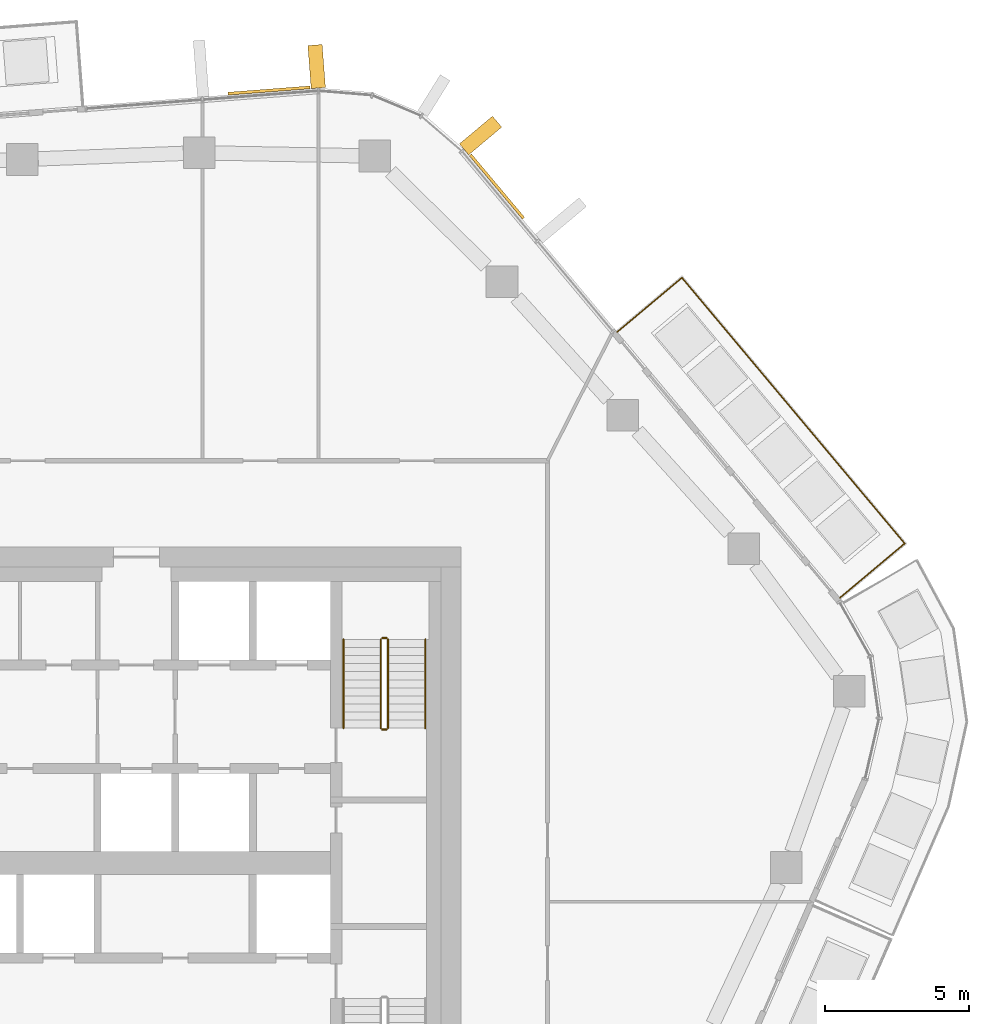
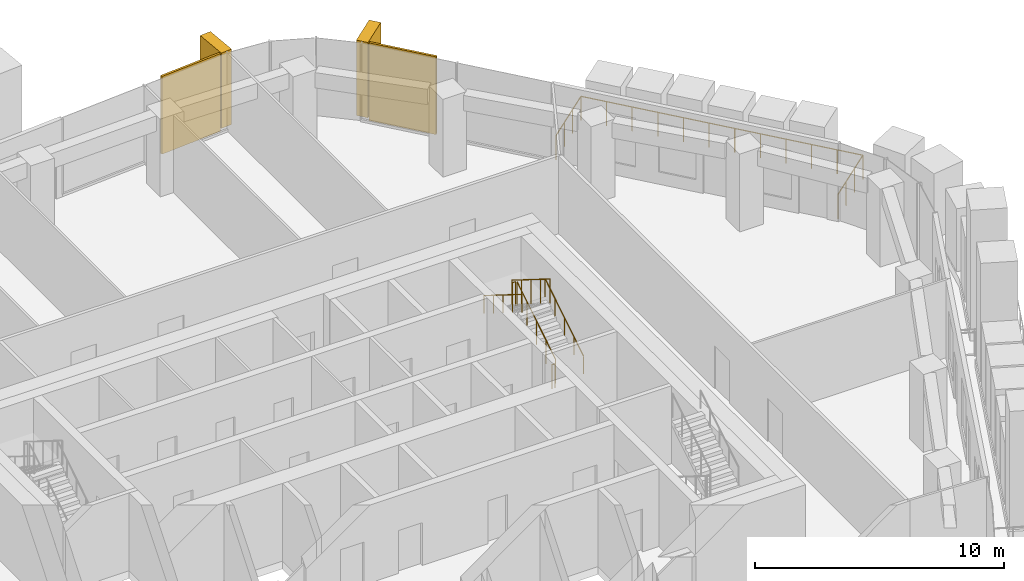
# One storey, part 20 of 20: 7 railings, 4 coverings, 2 elements without a shape of their own.
"""IFC4 building model written with IfcOpenShell, lengths in metres."""

import ifcopenshell
import ifcopenshell.guid

model = None  # the IFC model being written
_history = None  # IfcOwnerHistory: only IFC2X3 demands one
_inside = {}  # id of a spatial element -> (the spatial element, [elements in it])
_under = {}  # id of a project, library or spatial element -> (it, [spatial elements below it])
_declared = {}  # id of a project -> (the project, [libraries it declares])
_typed = {}  # id of a type object -> (the type object, [elements of that type])
_made_of = {}  # id of a material, layer set ... -> (it, [elements and type objects made of it])


def new_model(schema):
    """Start an empty IFC model of exactly this schema.

    Asked for "IFC4X3", IfcOpenShell would pick the latest addendum, in which some entities
    have other attributes; the version numbers below select the first issue.
    IFC2X3 requires an IfcOwnerHistory on every rooted entity: one is made here for all.
    """
    global model, _history
    if schema == "IFC4X3":
        model = ifcopenshell.file(schema_version=(4, 3, 0, 0))
    else:
        model = ifcopenshell.file(schema=schema)
    _inside.clear()
    _under.clear()
    _declared.clear()
    _typed.clear()
    _made_of.clear()
    _history = None
    if model.schema == "IFC2X3":
        org = make("IfcOrganization", Name="unknown")
        user = make(
            "IfcPersonAndOrganization",
            ThePerson=make("IfcPerson", FamilyName="unknown"),
            TheOrganization=org,
        )
        app = make(
            "IfcApplication",
            ApplicationDeveloper=org,
            Version="unknown",
            ApplicationFullName="unknown",
            ApplicationIdentifier="unknown",
        )
        _history = make(
            "IfcOwnerHistory",
            OwningUser=user,
            OwningApplication=app,
            ChangeAction="ADDED",
            CreationDate=0,
        )
    return model


def make(cls, **values):
    """One entity of the class cls with the attributes given. An attribute that is None is left unset."""
    return model.create_entity(
        cls, **{name: value for name, value in values.items() if value is not None}
    )


def rooted(cls, **values):
    """An entity with a GlobalId (a new one), such as an element, a storey or a relation."""
    return make(cls, GlobalId=ifcopenshell.guid.new(), OwnerHistory=_history, **values)


def si_unit(unit_type, name, prefix=None):
    """IfcSIUnit, for example si_unit("LENGTHUNIT", "METRE", prefix="MILLI")."""
    return make("IfcSIUnit", UnitType=unit_type, Prefix=prefix, Name=name)


def assignment(units):
    """IfcUnitAssignment: the units of a project."""
    return None if units is None else make("IfcUnitAssignment", Units=units)


def point(xyz):
    """IfcCartesianPoint."""
    return None if xyz is None else make("IfcCartesianPoint", Coordinates=xyz)


def direction(xyz):
    """IfcDirection."""
    return None if xyz is None else make("IfcDirection", DirectionRatios=xyz)


def frame(location, z_axis=None, x_axis=None):
    """IfcAxis2Placement3D, a coordinate frame: its origin and axes. An axis left out is left unset."""
    return make(
        "IfcAxis2Placement3D",
        Location=point(location),
        Axis=direction(z_axis),
        RefDirection=direction(x_axis),
    )


def frame_2d(location, x_axis=None):
    """IfcAxis2Placement2D, a coordinate frame in the plane: its origin and x axis."""
    return make(
        "IfcAxis2Placement2D", Location=point(location), RefDirection=direction(x_axis)
    )


def origin():
    """The frame at (0, 0, 0) with its axes left unset."""
    return frame((0.0, 0.0, 0.0))


def origin_2d():
    """The frame at (0, 0) in the plane with its x axis left unset."""
    return frame_2d((0.0, 0.0))


def place(relative_to, where):
    """IfcLocalPlacement: puts the frame where relative to a parent placement (None: the world)."""
    return make(
        "IfcLocalPlacement", PlacementRelTo=relative_to, RelativePlacement=where
    )


def context(
    kind, dimensions, precision=None, world=None, true_north=None, identifier=None
):
    """IfcGeometricRepresentationContext, for example the 3D "Model" context."""
    return make(
        "IfcGeometricRepresentationContext",
        ContextIdentifier=identifier,
        ContextType=kind,
        CoordinateSpaceDimension=dimensions,
        Precision=precision,
        WorldCoordinateSystem=world,
        TrueNorth=true_north,
    )


def subcontext(parent, identifier, kind, view, scale=None):
    """IfcGeometricRepresentationSubContext, for example "Body" below "Model"."""
    return make(
        "IfcGeometricRepresentationSubContext",
        ContextIdentifier=identifier,
        ContextType=kind,
        ParentContext=parent,
        TargetScale=scale,
        TargetView=view,
    )


def project(units=None, contexts=None):
    """IfcProject with its units and contexts."""
    return rooted(
        "IfcProject",
        Name="project",
        RepresentationContexts=contexts,
        UnitsInContext=assignment(units),
    )


def spatial(cls, under=None, at=None, **own):
    """A site, building, storey or space (cls), placed at a placement, below another one or the project."""
    s = rooted(cls, ObjectPlacement=at, **own)
    if under is not None:
        _under.setdefault(under.id(), (under, []))[1].append(s)
    return s


def profile(cls, at=None, kind="AREA", **sizes):
    """A parametric profile (cls). Its sizes go by their IFC names, for example OverallWidth=200.0."""
    return make(cls, ProfileType=kind, Position=at, **sizes)


def rectangle(**sizes):
    """IfcRectangleProfileDef."""
    return profile("IfcRectangleProfileDef", **sizes)


def circle(**sizes):
    """IfcCircleProfileDef."""
    return profile("IfcCircleProfileDef", **sizes)


def extrude(swept, where, along, depth):
    """IfcExtrudedAreaSolid: the profile swept, set in the frame where, extruded along a direction by depth."""
    return make(
        "IfcExtrudedAreaSolid",
        SweptArea=swept,
        Position=where,
        ExtrudedDirection=direction(along),
        Depth=depth,
    )


def shape(context_of_items, identifier, shape_type, items):
    """IfcShapeRepresentation: the items that make up one representation, for example the "Body"."""
    return make(
        "IfcShapeRepresentation",
        ContextOfItems=context_of_items,
        RepresentationIdentifier=identifier,
        RepresentationType=shape_type,
        Items=items,
    )


def material(Name=None, Category=None):
    """IfcMaterial."""
    return make("IfcMaterial", Name=Name, Category=Category)


def layer(
    of_material, thickness, ventilated=None, Name=None, Category=None, Priority=None
):
    """IfcMaterialLayer: one layer of a wall or slab, of a material (None: an air gap)."""
    return make(
        "IfcMaterialLayer",
        Material=of_material,
        LayerThickness=thickness,
        IsVentilated=ventilated,
        Name=Name,
        Category=Category,
        Priority=Priority,
    )


def layer_set(layers, Name=None):
    """IfcMaterialLayerSet."""
    return make("IfcMaterialLayerSet", MaterialLayers=layers, LayerSetName=Name)


def material_profile(
    of_material, cross_section, Name=None, Category=None, Priority=None
):
    """IfcMaterialProfile: a cross section and its material."""
    return make(
        "IfcMaterialProfile",
        Name=Name,
        Material=of_material,
        Profile=cross_section,
        Priority=Priority,
        Category=Category,
    )


def profile_set(profiles, Name=None, composite=None):
    """IfcMaterialProfileSet."""
    return make(
        "IfcMaterialProfileSet",
        Name=Name,
        MaterialProfiles=profiles,
        CompositeProfile=composite,
    )


def made_of(thing, what):
    """Note that an element or type object is made of a material, layer set ...; save() writes the relation."""
    if what is not None:
        _made_of.setdefault(what.id(), (what, []))[1].append(thing)
    return thing


def type_object(cls, material=None, **own):
    """A type object (cls), such as IfcWallType, which elements share."""
    return made_of(rooted(cls, **own), material)


def element(
    cls,
    number,
    at=None,
    inside=None,
    cuts=None,
    type_object=None,
    material=None,
    context=None,
    identifier="Body",
    shape_type=None,
    held_by="IfcProductDefinitionShape",
    body=None,
    shapes=None,
    **own,
):
    """One element of the class cls, such as IfcWall. Its Tag is "e" and its number.

    at: its placement. inside: the storey or other place that contains it. cuts: it is an
    opening in that element (IfcRelVoidsElement). A single representation is given by context,
    identifier, shape_type and body (its items); several are given by shapes. held_by: the class
    of the entity that holds the representations. save() writes the other relations.
    """
    e = rooted(cls, Tag="e%d" % number, ObjectPlacement=at, **own)
    if body is not None:
        shapes = [shape(context, identifier, shape_type, body)]
    if shapes is not None:
        e.Representation = make(held_by, Representations=shapes)
    if inside is not None:
        _inside.setdefault(inside.id(), (inside, []))[1].append(e)
    if cuts is not None:
        rooted(
            "IfcRelVoidsElement", RelatingBuildingElement=cuts, RelatedOpeningElement=e
        )
    if type_object is not None:
        _typed.setdefault(type_object.id(), (type_object, []))[1].append(e)
    return made_of(e, material)


def aggregate(whole, parts):
    """IfcRelAggregates: a whole, such as a stair, and the parts it consists of."""
    return rooted("IfcRelAggregates", RelatingObject=whole, RelatedObjects=parts)


def save(model, path):
    """Write the relations noted so far, then the file.

    IfcRelAggregates (storeys below a building ...), IfcRelContainedInSpatialStructure (elements
    in a storey), IfcRelDefinesByType, IfcRelAssociatesMaterial and IfcRelDeclares: one each for
    every whole, place, type object, material and project.
    """
    for whole, parts in _under.values():
        aggregate(whole, parts)
    for where, things in _inside.values():
        rooted(
            "IfcRelContainedInSpatialStructure",
            RelatedElements=things,
            RelatingStructure=where,
        )
    for kind, things in _typed.values():
        rooted("IfcRelDefinesByType", RelatedObjects=things, RelatingType=kind)
    for what, things in _made_of.values():
        rooted("IfcRelAssociatesMaterial", RelatedObjects=things, RelatingMaterial=what)
    for by, libraries in _declared.values():
        rooted("IfcRelDeclares", RelatingContext=by, RelatedDefinitions=libraries)
    model.write(path)


model = new_model("IFC4")

# Units and contexts
model_context = context("Model", 3, precision=1e-05, world=origin(), true_north=direction((0.0, 1.0)))
body_context = subcontext(model_context, "Body", "Model", "MODEL_VIEW")
ifc_project = project(units=[si_unit("LENGTHUNIT", "METRE"), si_unit("AREAUNIT", "SQUARE_METRE"), si_unit("VOLUMEUNIT", "CUBIC_METRE"), si_unit("PLANEANGLEUNIT", "RADIAN"), si_unit("MASSUNIT", "GRAM", prefix="KILO")], contexts=[model_context])

# Site, building, storey
site_placement = place(None, origin())
site = spatial("IfcSite", under=ifc_project, at=site_placement, CompositionType="ELEMENT")
building_placement = place(site_placement, origin())
building = spatial("IfcBuilding", under=site, at=building_placement, Name="Dongbaek Canopy Tower", CompositionType="ELEMENT")
storey_placement = place(building_placement, frame((0.0, 0.0, 249.60009765625)))
storey = spatial("IfcBuildingStorey", under=building, at=storey_placement, Name="L52", CompositionType="ELEMENT", Elevation=249.60009765625)

# Railing
ifc_material_1 = material(Name="Stainless steel", Category="steel")
railing_type_1 = type_object("IfcRailingType", Name="Balcony balustrade 1200", PredefinedType="BALUSTRADE", material=ifc_material_1)
railing_1_placement = place(storey_placement, frame((27.174072265625, 9.232177734375, 0.0)))
element("IfcRailing", 1, at=railing_1_placement, inside=storey, type_object=railing_type_1, Name="Balcony guard L52 1", PredefinedType="BALUSTRADE", context=body_context, shape_type="SweptSolid", body=[
    extrude(circle(Radius=0.02392578125, at=origin_2d()), frame((0.0, 0.0, 1.17578125), z_axis=(0.766373520026, 0.642395227102, 0.0), x_axis=(-0.642395227102, 0.766373520026, 0.0)), (0.0, 0.0, 1.0), 2.93994140625),
    extrude(circle(Radius=0.02392578125, at=origin_2d()), frame((2.253173828125, 1.888671875, 1.17578125), z_axis=(-0.642387276986, 0.76638018396, 0.0), x_axis=(-0.76638018396, -0.642387276986, 0.0)), (0.0, 0.0, 1.0), 12.06396484375),
    extrude(circle(Radius=0.02392578125, at=origin_2d()), frame((-5.49658203125, 11.13427734375, 1.17578125), z_axis=(-0.766373520026, -0.642395227102, 0.0), x_axis=(0.642395227102, -0.766373520026, 0.0)), (0.0, 0.0, 1.0), 2.93994140625),
    extrude(circle(Radius=0.02099609375, at=origin_2d()), origin(), (0.0, 0.0, 1.0), 1.15185546875),
    extrude(circle(Radius=0.02099609375, at=origin_2d()), frame((0.7509765625, 0.629638671875, 0.0)), (0.0, 0.0, 1.0), 1.15185546875),
    extrude(circle(Radius=0.02099609375, at=origin_2d()), frame((1.502197265625, 1.259033203125, 0.0)), (0.0, 0.0, 1.0), 1.15185546875),
    extrude(circle(Radius=0.02099609375, at=origin_2d()), frame((2.253173828125, 1.888671875, 0.0)), (0.0, 0.0, 1.0), 1.15185546875),
    extrude(circle(Radius=0.02099609375, at=origin_2d()), frame((1.548583984375, 2.729248046875, 0.0)), (0.0, 0.0, 1.0), 1.15185546875),
    extrude(circle(Radius=0.02099609375, at=origin_2d()), frame((0.84423828125, 3.569580078125, 0.0)), (0.0, 0.0, 1.0), 1.15185546875),
    extrude(circle(Radius=0.02099609375, at=origin_2d()), frame((0.1396484375, 4.41015625, 0.0)), (0.0, 0.0, 1.0), 1.15185546875),
    extrude(circle(Radius=0.02099609375, at=origin_2d()), frame((-0.56494140625, 5.250732421875, 0.0)), (0.0, 0.0, 1.0), 1.15185546875),
    extrude(circle(Radius=0.02099609375, at=origin_2d()), frame((-1.26953125, 6.09130859375, 0.0)), (0.0, 0.0, 1.0), 1.15185546875),
    extrude(circle(Radius=0.02099609375, at=origin_2d()), frame((-1.973876953125, 6.931640625, 0.0)), (0.0, 0.0, 1.0), 1.15185546875),
    extrude(circle(Radius=0.02099609375, at=origin_2d()), frame((-2.678466796875, 7.772216796875, 0.0)), (0.0, 0.0, 1.0), 1.15185546875),
    extrude(circle(Radius=0.02099609375, at=origin_2d()), frame((-3.383056640625, 8.61279296875, 0.0)), (0.0, 0.0, 1.0), 1.15185546875),
    extrude(circle(Radius=0.02099609375, at=origin_2d()), frame((-4.087646484375, 9.453369140625, 0.0)), (0.0, 0.0, 1.0), 1.15185546875),
    extrude(circle(Radius=0.02099609375, at=origin_2d()), frame((-4.7919921875, 10.293701171875, 0.0)), (0.0, 0.0, 1.0), 1.15185546875),
    extrude(circle(Radius=0.02099609375, at=origin_2d()), frame((-5.49658203125, 11.13427734375, 0.0)), (0.0, 0.0, 1.0), 1.15185546875),
    extrude(circle(Radius=0.02099609375, at=origin_2d()), frame((-6.24755859375, 10.504638671875, 0.0)), (0.0, 0.0, 1.0), 1.15185546875),
    extrude(circle(Radius=0.02099609375, at=origin_2d()), frame((-6.998779296875, 9.875244140625, 0.0)), (0.0, 0.0, 1.0), 1.15185546875),
    extrude(circle(Radius=0.02099609375, at=origin_2d()), frame((-7.749755859375, 9.24560546875, 0.0)), (0.0, 0.0, 1.0), 1.15185546875),
])

# Curtain wall, covering
ifc_material_2 = material(Name="Aluminium 6063-T6 pale anodised", Category="aluminium")
ifc_layer_1 = layer(ifc_material_2, 0.199951171875)
ifc_layer_set_1 = layer_set([ifc_layer_1], Name="CW-1 unitised tower curtain wall")
curtain_wall_type = type_object("IfcCurtainWallType", Name="CW-1 unitised tower curtain wall", PredefinedType="NOTDEFINED", material=ifc_layer_set_1)
curtain_wall_1_placement = place(storey_placement, origin())
curtain_wall_1 = element("IfcCurtainWall", 2, at=curtain_wall_1_placement, inside=storey, type_object=curtain_wall_type, Name="CW-1 curtain wall F0.1", PredefinedType="NOTDEFINED")
ifc_material_3 = material(Name="Perforated aluminium 6063-T6 pale metal screen", Category="aluminium")
ifc_layer_2 = layer(ifc_material_3, 0.10009765625)
ifc_layer_set_2 = layer_set([ifc_layer_2], Name="Facet screen FS1 100 pale metal")
covering_type_1 = type_object("IfcCoveringType", Name="Facet screen FS1 100 pale metal", PredefinedType="CLADDING", material=ifc_layer_set_2)
covering_1_placement = place(storey_placement, frame((15.242919921875, 23.53759765625, 0.0), z_axis=(0.0, 0.0, 1.0), x_axis=(-0.642393109571, 0.766375294993, 0.0)))
covering_1 = element("IfcCovering", 3, at=covering_1_placement, type_object=covering_type_1, Name="Facet screen L52 F0", PredefinedType="CLADDING", context=body_context, shape_type="SweptSolid", body=[
    extrude(rectangle(XDim=2.875244140625, YDim=0.10009765625, at=origin_2d()), origin(), (0.0, 0.0, 1.0), 3.820068359375),
])

curtain_wall_2_placement = place(storey_placement, origin())
curtain_wall_2 = element("IfcCurtainWall", 4, at=curtain_wall_2_placement, inside=storey, type_object=curtain_wall_type, Name="CW-1 curtain wall F1.1", PredefinedType="NOTDEFINED")
covering_2_placement = place(storey_placement, frame((7.31201171875, 26.8798828125, 0.0), z_axis=(0.0, 0.0, 1.0), x_axis=(-0.997068130639, -0.076518905269, 0.0)))
covering_2 = element("IfcCovering", 5, at=covering_2_placement, type_object=covering_type_1, Name="Facet screen L52 F1", PredefinedType="CLADDING", context=body_context, shape_type="SweptSolid", body=[
    extrude(rectangle(XDim=2.85400390625, YDim=0.10009765625, at=origin_2d()), origin(), (0.0, 0.0, 1.0), 3.820068359375),
])

# Covering
ifc_material_4 = material(Name="Aluminium 6063-T6 pale metal fin", Category="aluminium")
ifc_material_profile = material_profile(ifc_material_4, rectangle(XDim=1.5, YDim=0.5, at=origin_2d()), Name="Fin FN1 500 x 1500 pale metal")
ifc_profile_set = profile_set([ifc_material_profile], Name="Aluminium 6063-T6 pale metal fin")
covering_type_2 = type_object("IfcCoveringType", Name="Fin FN1 500 x 1500 pale metal", PredefinedType="CLADDING", material=ifc_profile_set)
covering_3_placement = place(storey_placement, frame((14.672607421875, 25.313720703125, 0.119873046875), z_axis=(0.0, 0.0, 1.0), x_axis=(0.766375296025, 0.64239310834, 0.0)))
covering_3 = element("IfcCovering", 6, at=covering_3_placement, type_object=covering_type_2, Name="Fin F0.1.3", PredefinedType="CLADDING", context=body_context, shape_type="SweptSolid", body=[
    extrude(rectangle(XDim=1.5, YDim=0.5, at=origin_2d()), origin(), (0.0, 0.0, 1.0), 3.699951171875),
])

aggregate(curtain_wall_1, [covering_3, covering_1])

covering_4_placement = place(storey_placement, frame((8.97021484375, 27.71337890625, 0.119873046875), z_axis=(0.0, 0.0, 1.0), x_axis=(-0.076518262748, 0.997068179949, 0.0)))
covering_4 = element("IfcCovering", 7, at=covering_4_placement, type_object=covering_type_2, Name="Fin F1.1.1", PredefinedType="CLADDING", context=body_context, shape_type="SweptSolid", body=[
    extrude(rectangle(XDim=1.5, YDim=0.5, at=origin_2d()), origin(), (0.0, 0.0, 1.0), 3.699951171875),
])

aggregate(curtain_wall_2, [covering_4, covering_2])

# Railings
ifc_material_5 = material(Name="Stainless steel tube and balusters", Category="steel")
railing_type_2 = type_object("IfcRailingType", Name="Stair guard 1200", PredefinedType="GUARDRAIL", material=ifc_material_5)
railing_2_placement = place(storey_placement, frame((11.449951171875, 4.699951171875, 0.1748046875)))
element("IfcRailing", 8, at=railing_2_placement, inside=storey, type_object=railing_type_2, Name="L52 ST-A stair guard 1", PredefinedType="GUARDRAIL", context=body_context, shape_type="SweptSolid", body=[
    extrude(circle(Radius=0.02392578125, at=origin_2d()), frame((0.0, 0.0, 1.17578125), z_axis=(0.0, 0.847998304005, 0.529998940003), x_axis=(-1.0, 0.0, 0.0)), (0.0, 0.0, 1.0), 3.632080078125),
    extrude(circle(Radius=0.02099609375, at=origin_2d()), origin(), (0.0, 0.0, 1.0), 1.15185546875),
    extrude(circle(Radius=0.02099609375, at=origin_2d()), frame((0.0, 0.77001953125, 0.481201171875)), (0.0, 0.0, 1.0), 1.15185546875),
    extrude(circle(Radius=0.02099609375, at=origin_2d()), frame((0.0, 1.5400390625, 0.96240234375)), (0.0, 0.0, 1.0), 1.15185546875),
    extrude(circle(Radius=0.02099609375, at=origin_2d()), frame((0.0, 2.31005859375, 1.44384765625)), (0.0, 0.0, 1.0), 1.15185546875),
    extrude(circle(Radius=0.02099609375, at=origin_2d()), frame((0.0, 3.080078125, 1.925048828125)), (0.0, 0.0, 1.0), 1.15185546875),
])
railing_3_placement = place(storey_placement, frame((11.39990234375, 7.830078125, 2.099853515625)))
element("IfcRailing", 9, at=railing_3_placement, inside=storey, type_object=railing_type_2, Name="L52 ST-A stair guard 2", PredefinedType="GUARDRAIL", context=body_context, shape_type="SweptSolid", body=[
    extrude(circle(Radius=0.02392578125, at=origin_2d()), frame((0.0, 0.0, 1.17578125), z_axis=(-1.0, 0.0, 0.0), x_axis=(0.0, -1.0, 0.0)), (0.0, 0.0, 1.0), 0.14990234375),
    extrude(circle(Radius=0.02099609375, at=origin_2d()), origin(), (0.0, 0.0, 1.0), 1.15185546875),
    extrude(circle(Radius=0.02099609375, at=origin_2d()), frame((-0.14990234375, 0.0, 0.0)), (0.0, 0.0, 1.0), 1.15185546875),
])
railing_4_placement = place(storey_placement, frame((11.199951171875, 7.780029296875, 2.27490234375)))
element("IfcRailing", 10, at=railing_4_placement, inside=storey, type_object=railing_type_2, Name="L52 ST-A stair guard 3", PredefinedType="GUARDRAIL", context=body_context, shape_type="SweptSolid", body=[
    extrude(circle(Radius=0.02392578125, at=origin_2d()), frame((0.0, 0.0, 1.17578125), z_axis=(0.0, -0.847998304005, 0.529998940003), x_axis=(1.0, 0.0, 0.0)), (0.0, 0.0, 1.0), 3.632080078125),
    extrude(circle(Radius=0.02099609375, at=origin_2d()), origin(), (0.0, 0.0, 1.0), 1.15185546875),
    extrude(circle(Radius=0.02099609375, at=origin_2d()), frame((0.0, -0.77001953125, 0.481201171875)), (0.0, 0.0, 1.0), 1.15185546875),
    extrude(circle(Radius=0.02099609375, at=origin_2d()), frame((0.0, -1.5400390625, 0.96240234375)), (0.0, 0.0, 1.0), 1.15185546875),
    extrude(circle(Radius=0.02099609375, at=origin_2d()), frame((0.0, -2.31005859375, 1.44384765625)), (0.0, 0.0, 1.0), 1.15185546875),
    extrude(circle(Radius=0.02099609375, at=origin_2d()), frame((0.0, -3.080078125, 1.925048828125)), (0.0, 0.0, 1.0), 1.15185546875),
])
railing_5_placement = place(storey_placement, frame((11.39990234375, 4.64990234375, 0.0)))
element("IfcRailing", 11, at=railing_5_placement, inside=storey, type_object=railing_type_2, Name="L52 ST-A stair guard 4", PredefinedType="GUARDRAIL", context=body_context, shape_type="SweptSolid", body=[
    extrude(circle(Radius=0.02392578125, at=origin_2d()), frame((0.0, 0.0, 1.17578125), z_axis=(-1.0, 0.0, 0.0), x_axis=(0.0, -1.0, 0.0)), (0.0, 0.0, 1.0), 0.14990234375),
    extrude(circle(Radius=0.02099609375, at=origin_2d()), origin(), (0.0, 0.0, 1.0), 1.15185546875),
    extrude(circle(Radius=0.02099609375, at=origin_2d()), frame((-0.14990234375, 0.0, 0.0)), (0.0, 0.0, 1.0), 1.15185546875),
])
ifc_material_6 = material(Name="Stainless steel tube", Category="steel")
railing_type_3 = type_object("IfcRailingType", Name="Stair handrail 900", PredefinedType="HANDRAIL", material=ifc_material_6)
railing_6_placement = place(storey_placement, frame((12.75, 4.699951171875, 0.1748046875)))
element("IfcRailing", 12, at=railing_6_placement, inside=storey, type_object=railing_type_3, Name="L52 ST-A stair handrail 1", PredefinedType="HANDRAIL", context=body_context, shape_type="SweptSolid", body=[
    extrude(circle(Radius=0.02392578125, at=origin_2d()), frame((0.0, 0.0, 0.8759765625), z_axis=(0.0, 0.847998304005, 0.529998940003), x_axis=(-1.0, 0.0, 0.0)), (0.0, 0.0, 1.0), 3.632080078125),
    extrude(circle(Radius=0.02099609375, at=origin_2d()), origin(), (0.0, 0.0, 1.0), 0.851806640625),
    extrude(circle(Radius=0.02099609375, at=origin_2d()), frame((0.0, 0.77001953125, 0.481201171875)), (0.0, 0.0, 1.0), 0.851806640625),
    extrude(circle(Radius=0.02099609375, at=origin_2d()), frame((0.0, 1.5400390625, 0.96240234375)), (0.0, 0.0, 1.0), 0.851806640625),
    extrude(circle(Radius=0.02099609375, at=origin_2d()), frame((0.0, 2.31005859375, 1.44384765625)), (0.0, 0.0, 1.0), 0.851806640625),
    extrude(circle(Radius=0.02099609375, at=origin_2d()), frame((0.0, 3.080078125, 1.925048828125)), (0.0, 0.0, 1.0), 0.851806640625),
])
railing_7_placement = place(storey_placement, frame((9.89990234375, 7.780029296875, 2.27490234375)))
element("IfcRailing", 13, at=railing_7_placement, inside=storey, type_object=railing_type_3, Name="L52 ST-A stair handrail 2", PredefinedType="HANDRAIL", context=body_context, shape_type="SweptSolid", body=[
    extrude(circle(Radius=0.02392578125, at=origin_2d()), frame((0.0, 0.0, 0.8759765625), z_axis=(0.0, -0.847998304005, 0.529998940003), x_axis=(1.0, 0.0, 0.0)), (0.0, 0.0, 1.0), 3.632080078125),
    extrude(circle(Radius=0.02099609375, at=origin_2d()), origin(), (0.0, 0.0, 1.0), 0.851806640625),
    extrude(circle(Radius=0.02099609375, at=origin_2d()), frame((0.0, -0.77001953125, 0.481201171875)), (0.0, 0.0, 1.0), 0.851806640625),
    extrude(circle(Radius=0.02099609375, at=origin_2d()), frame((0.0, -1.5400390625, 0.96240234375)), (0.0, 0.0, 1.0), 0.851806640625),
    extrude(circle(Radius=0.02099609375, at=origin_2d()), frame((0.0, -2.31005859375, 1.44384765625)), (0.0, 0.0, 1.0), 0.851806640625),
    extrude(circle(Radius=0.02099609375, at=origin_2d()), frame((0.0, -3.080078125, 1.925048828125)), (0.0, 0.0, 1.0), 0.851806640625),
])

save(model, "model.ifc")
